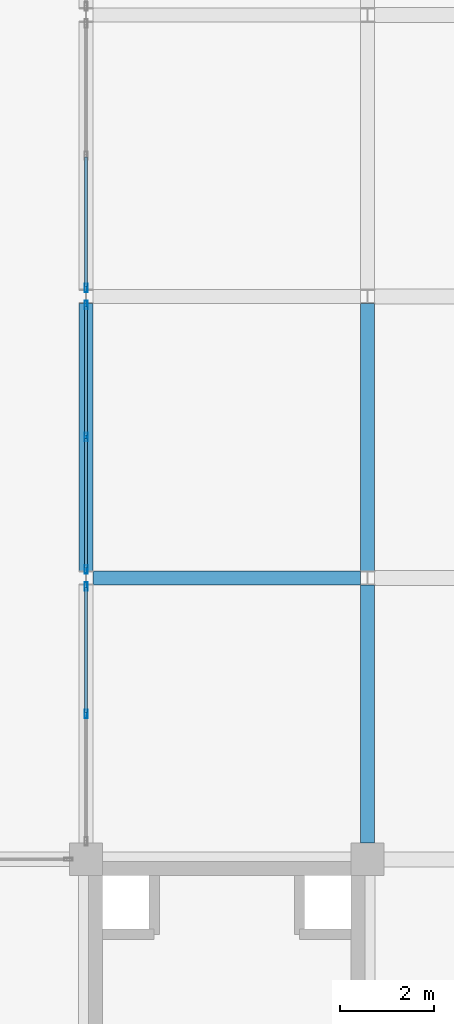
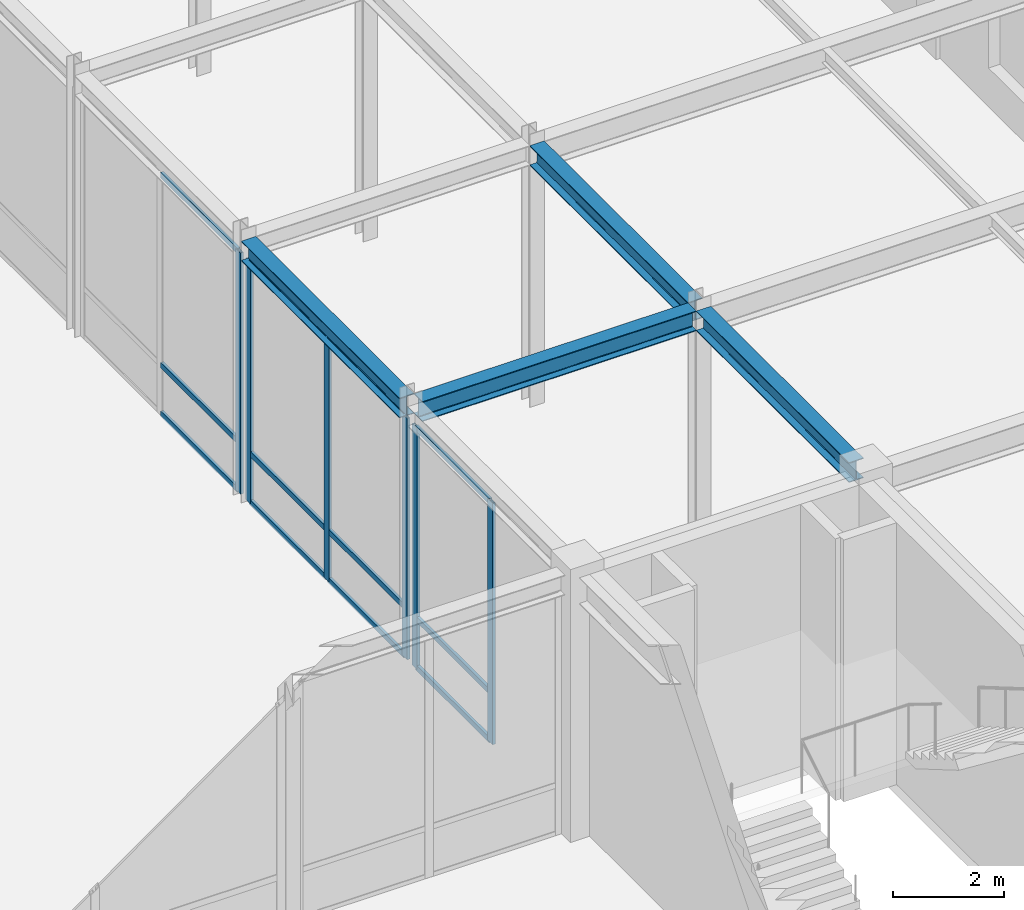
# One storey, part 85 of 108: 18 members, 4 beams, 3 elements without a shape of their own.
"""IFC4 building model written with IfcOpenShell, lengths in metres."""

from ifc_helpers import new_model, si_unit, direction, frame, origin, origin_2d, place, context, subcontext, project, spatial, hollow_rectangle, i_section, extrude, material, layer, layer_set, material_profile, profile_set, type_object, element, aggregate, save


model = new_model("IFC4")

# Units and contexts
model_context = context("Model", 3, precision=1e-05, world=origin(), true_north=direction((0.0, 1.0)))
body_context = subcontext(model_context, "Body", "Model", "MODEL_VIEW")
ifc_project = project(units=[si_unit("LENGTHUNIT", "METRE"), si_unit("AREAUNIT", "SQUARE_METRE"), si_unit("VOLUMEUNIT", "CUBIC_METRE"), si_unit("PLANEANGLEUNIT", "RADIAN"), si_unit("MASSUNIT", "GRAM", prefix="KILO")], contexts=[model_context])

# Site, building, storey
site_placement = place(None, origin())
site = spatial("IfcSite", under=ifc_project, at=site_placement, CompositionType="ELEMENT")
building_placement = place(site_placement, origin())
building = spatial("IfcBuilding", under=site, at=building_placement, Name="Zlatovratsky Civic Hall", CompositionType="ELEMENT")
storey_placement = place(building_placement, frame((0.0, 0.0, 6.0)))
storey = spatial("IfcBuildingStorey", under=building, at=storey_placement, Name="L02", CompositionType="ELEMENT", Elevation=6.0)

# Beams
ifc_material_1 = material(Name="Steel S355", Category="steel")
ifc_material_profile_1 = material_profile(ifc_material_1, i_section(OverallWidth=0.300048828125, OverallDepth=0.43994140625, WebThickness=0.010986328125, FlangeThickness=0.01806640625, FilletRadius=0.02197265625, at=origin_2d()), Name="45Sh1")
ifc_profile_set_1 = profile_set([ifc_material_profile_1], Name="Steel S355")
beam_type = type_object("IfcBeamType", Name="Beam_TowerLow_45Sh1", PredefinedType="BEAM", material=ifc_profile_set_1)
for number, where, z_axis, x_axis, name in (
    (1, (150.14990234375, 36.0, 5.5400390625), (1.0, 0.0, 0.0), (0.0, 1.0, 0.0), "BM-1815"),
    (2, (150.0, 36.14990234375, 5.5400390625), (0.0, 1.0, 0.0), (-1.0, 0.0, 0.0), "BM-2342"),
):
    element("IfcBeam", number, at=place(storey_placement, frame(where, z_axis=z_axis, x_axis=x_axis)), inside=storey, type_object=beam_type, Name=name, PredefinedType="BEAM", context=body_context, shape_type="SweptSolid", body=[
        extrude(i_section(OverallWidth=0.300048828125, OverallDepth=0.43994140625, WebThickness=0.010986328125, FlangeThickness=0.01806640625, FilletRadius=0.02197265625, at=origin_2d()), origin(), (0.0, 0.0, 1.0), 5.7001953125),
    ])
beam_1_placement = place(storey_placement, frame((156.0, 30.35009765625, 5.5400390625), z_axis=(0.0, 1.0, 0.0), x_axis=(-1.0, 0.0, 0.0)))
element("IfcBeam", 3, at=beam_1_placement, inside=storey, type_object=beam_type, Name="BM-2358", PredefinedType="BEAM", context=body_context, shape_type="SweptSolid", body=[
    extrude(i_section(OverallWidth=0.300048828125, OverallDepth=0.43994140625, WebThickness=0.010986328125, FlangeThickness=0.01806640625, FilletRadius=0.02197265625, at=origin_2d()), origin(), (0.0, 0.0, 1.0), 5.5),
])
beam_2_placement = place(storey_placement, frame((156.0, 36.14990234375, 5.5400390625), z_axis=(0.0, 1.0, 0.0), x_axis=(-1.0, 0.0, 0.0)))
element("IfcBeam", 4, at=beam_2_placement, inside=storey, type_object=beam_type, Name="BM-2359", PredefinedType="BEAM", context=body_context, shape_type="SweptSolid", body=[
    extrude(i_section(OverallWidth=0.300048828125, OverallDepth=0.43994140625, WebThickness=0.010986328125, FlangeThickness=0.01806640625, FilletRadius=0.02197265625, at=origin_2d()), origin(), (0.0, 0.0, 1.0), 5.7001953125),
])

# Curtain wall, members
ifc_material_2 = material(Name="Anodised bronze aluminium", Category="aluminium")
ifc_layer_1 = layer(ifc_material_2, 0.159912109375)
ifc_layer_set_1 = layer_set([ifc_layer_1], Name="Anodised bronze aluminium")
curtain_wall_type_1 = type_object("IfcCurtainWallType", Name="CurtainWall_Bronze_5500x5310_04", PredefinedType="NOTDEFINED", material=ifc_layer_set_1)
curtain_wall_1_placement = place(storey_placement, origin())
curtain_wall_1 = element("IfcCurtainWall", 5, at=curtain_wall_1_placement, inside=storey, type_object=curtain_wall_type_1, Name="CW-039", PredefinedType="NOTDEFINED")
ifc_material_profile_2 = material_profile(ifc_material_2, hollow_rectangle(XDim=0.06005859375, YDim=0.179931640625, WallThickness=0.00390625, at=origin_2d()), Name="ALU 60x180x4")
ifc_profile_set_2 = profile_set([ifc_material_profile_2], Name="Anodised bronze aluminium")
member_type_1 = type_object("IfcMemberType", Name="CW_Mullion_60x180", PredefinedType="MULLION", material=ifc_profile_set_2)
member_1_placement = place(storey_placement, frame((150.0, 33.10009765625, 0.0), z_axis=(0.0, 0.0, 1.0), x_axis=(-1.0, 0.0, 0.0)))
member_1 = element("IfcMember", 6, at=member_1_placement, type_object=member_type_1, Name="CW-04 mullion 2", PredefinedType="MULLION", context=body_context, shape_type="SweptSolid", body=[
    extrude(hollow_rectangle(XDim=0.06005859375, YDim=0.179931640625, WallThickness=0.00390625, at=origin_2d()), origin(), (0.0, 0.0, 1.0), 5.31005859375),
])
member_2_placement = place(storey_placement, frame((150.0, 35.820068359375, 0.0), z_axis=(0.0, 0.0, 1.0), x_axis=(-1.0, 0.0, 0.0)))
member_2 = element("IfcMember", 7, at=member_2_placement, type_object=member_type_1, Name="CW-04 mullion 3", PredefinedType="MULLION", context=body_context, shape_type="SweptSolid", body=[
    extrude(hollow_rectangle(XDim=0.06005859375, YDim=0.179931640625, WallThickness=0.00390625, at=origin_2d()), origin(), (0.0, 0.0, 1.0), 5.31005859375),
])

ifc_layer_2 = layer(ifc_material_2, 0.159912109375)
ifc_layer_set_2 = layer_set([ifc_layer_2], Name="Anodised bronze aluminium")
curtain_wall_type_2 = type_object("IfcCurtainWallType", Name="CurtainWall_Bronze_5700x5310_06", PredefinedType="NOTDEFINED", material=ifc_layer_set_2)
curtain_wall_2_placement = place(storey_placement, origin())
curtain_wall_2 = element("IfcCurtainWall", 8, at=curtain_wall_2_placement, inside=storey, type_object=curtain_wall_type_2, Name="CW-040", PredefinedType="NOTDEFINED")
member_3_placement = place(storey_placement, frame((150.0, 36.179931640625, 0.0), z_axis=(0.0, 0.0, 1.0), x_axis=(-1.0, 0.0, 0.0)))
member_3 = element("IfcMember", 9, at=member_3_placement, type_object=member_type_1, Name="CW-06 mullion 1", PredefinedType="MULLION", context=body_context, shape_type="SweptSolid", body=[
    extrude(hollow_rectangle(XDim=0.06005859375, YDim=0.179931640625, WallThickness=0.00390625, at=origin_2d()), origin(), (0.0, 0.0, 1.0), 5.31005859375),
])
member_4_placement = place(storey_placement, frame((150.0, 39.0, 0.0), z_axis=(0.0, 0.0, 1.0), x_axis=(-1.0, 0.0, 0.0)))
member_4 = element("IfcMember", 10, at=member_4_placement, type_object=member_type_1, Name="CW-06 mullion 2", PredefinedType="MULLION", context=body_context, shape_type="SweptSolid", body=[
    extrude(hollow_rectangle(XDim=0.06005859375, YDim=0.179931640625, WallThickness=0.00390625, at=origin_2d()), origin(), (0.0, 0.0, 1.0), 5.31005859375),
])
member_5_placement = place(storey_placement, frame((150.0, 41.820068359375, 0.0), z_axis=(0.0, 0.0, 1.0), x_axis=(-1.0, 0.0, 0.0)))
member_5 = element("IfcMember", 11, at=member_5_placement, type_object=member_type_1, Name="CW-06 mullion 3", PredefinedType="MULLION", context=body_context, shape_type="SweptSolid", body=[
    extrude(hollow_rectangle(XDim=0.06005859375, YDim=0.179931640625, WallThickness=0.00390625, at=origin_2d()), origin(), (0.0, 0.0, 1.0), 5.31005859375),
])

# Curtain wall, member
curtain_wall_3_placement = place(storey_placement, origin())
curtain_wall_3 = element("IfcCurtainWall", 12, at=curtain_wall_3_placement, inside=storey, type_object=curtain_wall_type_2, Name="CW-041", PredefinedType="NOTDEFINED")
member_6_placement = place(storey_placement, frame((150.0, 42.179931640625, 0.0), z_axis=(0.0, 0.0, 1.0), x_axis=(-1.0, 0.0, 0.0)))
member_6 = element("IfcMember", 13, at=member_6_placement, type_object=member_type_1, Name="CW-06 mullion 1", PredefinedType="MULLION", context=body_context, shape_type="SweptSolid", body=[
    extrude(hollow_rectangle(XDim=0.06005859375, YDim=0.179931640625, WallThickness=0.00390625, at=origin_2d()), origin(), (0.0, 0.0, 1.0), 5.31005859375),
])

# Member
ifc_material_profile_3 = material_profile(ifc_material_2, hollow_rectangle(XDim=0.06005859375, YDim=0.1201171875, WallThickness=0.00390625, at=origin_2d()), Name="ALU 60x120x4")
ifc_profile_set_3 = profile_set([ifc_material_profile_3], Name="Anodised bronze aluminium")
member_type_2 = type_object("IfcMemberType", Name="CW_Transom_60x120", PredefinedType="USERDEFINED", material=ifc_profile_set_3)
member_7_placement = place(storey_placement, frame((150.0, 33.1298828125, 0.030029296875), z_axis=(0.0, 1.0, 0.0), x_axis=(-1.0, 0.0, 0.0)))
member_7 = element("IfcMember", 14, at=member_7_placement, type_object=member_type_2, Name="CW-04 transom 2.1", ObjectType="TRANSOM", PredefinedType="USERDEFINED", context=body_context, shape_type="SweptSolid", body=[
    extrude(hollow_rectangle(XDim=0.06005859375, YDim=0.1201171875, WallThickness=0.00390625, at=origin_2d()), origin(), (0.0, 0.0, 1.0), 2.66015625),
])

member_8_placement = place(storey_placement, frame((150.0, 33.1298828125, 1.10009765625), z_axis=(0.0, 1.0, 0.0), x_axis=(-1.0, 0.0, 0.0)))
member_8 = element("IfcMember", 15, at=member_8_placement, type_object=member_type_2, Name="CW-04 transom 2.2", ObjectType="TRANSOM", PredefinedType="USERDEFINED", context=body_context, shape_type="SweptSolid", body=[
    extrude(hollow_rectangle(XDim=0.06005859375, YDim=0.1201171875, WallThickness=0.00390625, at=origin_2d()), origin(), (0.0, 0.0, 1.0), 2.66015625),
])

member_9_placement = place(storey_placement, frame((150.0, 33.1298828125, 5.280029296875), z_axis=(0.0, 1.0, 0.0), x_axis=(-1.0, 0.0, 0.0)))
member_9 = element("IfcMember", 16, at=member_9_placement, type_object=member_type_2, Name="CW-04 transom 2.3", ObjectType="TRANSOM", PredefinedType="USERDEFINED", context=body_context, shape_type="SweptSolid", body=[
    extrude(hollow_rectangle(XDim=0.06005859375, YDim=0.1201171875, WallThickness=0.00390625, at=origin_2d()), origin(), (0.0, 0.0, 1.0), 2.66015625),
])

aggregate(curtain_wall_1, [member_1, member_2, member_7, member_8, member_9])

member_10_placement = place(storey_placement, frame((150.0, 36.2099609375, 0.030029296875), z_axis=(0.0, 1.0, 0.0), x_axis=(-1.0, 0.0, 0.0)))
member_10 = element("IfcMember", 17, at=member_10_placement, type_object=member_type_2, Name="CW-06 transom 1.1", ObjectType="TRANSOM", PredefinedType="USERDEFINED", context=body_context, shape_type="SweptSolid", body=[
    extrude(hollow_rectangle(XDim=0.06005859375, YDim=0.1201171875, WallThickness=0.00390625, at=origin_2d()), origin(), (0.0, 0.0, 1.0), 2.760009765625),
])

member_11_placement = place(storey_placement, frame((150.0, 36.2099609375, 1.10009765625), z_axis=(0.0, 1.0, 0.0), x_axis=(-1.0, 0.0, 0.0)))
member_11 = element("IfcMember", 18, at=member_11_placement, type_object=member_type_2, Name="CW-06 transom 1.2", ObjectType="TRANSOM", PredefinedType="USERDEFINED", context=body_context, shape_type="SweptSolid", body=[
    extrude(hollow_rectangle(XDim=0.06005859375, YDim=0.1201171875, WallThickness=0.00390625, at=origin_2d()), origin(), (0.0, 0.0, 1.0), 2.760009765625),
])

member_12_placement = place(storey_placement, frame((150.0, 36.2099609375, 5.280029296875), z_axis=(0.0, 1.0, 0.0), x_axis=(-1.0, 0.0, 0.0)))
member_12 = element("IfcMember", 19, at=member_12_placement, type_object=member_type_2, Name="CW-06 transom 1.3", ObjectType="TRANSOM", PredefinedType="USERDEFINED", context=body_context, shape_type="SweptSolid", body=[
    extrude(hollow_rectangle(XDim=0.06005859375, YDim=0.1201171875, WallThickness=0.00390625, at=origin_2d()), origin(), (0.0, 0.0, 1.0), 2.760009765625),
])

member_13_placement = place(storey_placement, frame((150.0, 39.030029296875, 0.030029296875), z_axis=(0.0, 1.0, 0.0), x_axis=(-1.0, 0.0, 0.0)))
member_13 = element("IfcMember", 20, at=member_13_placement, type_object=member_type_2, Name="CW-06 transom 2.1", ObjectType="TRANSOM", PredefinedType="USERDEFINED", context=body_context, shape_type="SweptSolid", body=[
    extrude(hollow_rectangle(XDim=0.06005859375, YDim=0.1201171875, WallThickness=0.00390625, at=origin_2d()), origin(), (0.0, 0.0, 1.0), 2.760009765625),
])

member_14_placement = place(storey_placement, frame((150.0, 39.030029296875, 1.10009765625), z_axis=(0.0, 1.0, 0.0), x_axis=(-1.0, 0.0, 0.0)))
member_14 = element("IfcMember", 21, at=member_14_placement, type_object=member_type_2, Name="CW-06 transom 2.2", ObjectType="TRANSOM", PredefinedType="USERDEFINED", context=body_context, shape_type="SweptSolid", body=[
    extrude(hollow_rectangle(XDim=0.06005859375, YDim=0.1201171875, WallThickness=0.00390625, at=origin_2d()), origin(), (0.0, 0.0, 1.0), 2.760009765625),
])

member_15_placement = place(storey_placement, frame((150.0, 39.030029296875, 5.280029296875), z_axis=(0.0, 1.0, 0.0), x_axis=(-1.0, 0.0, 0.0)))
member_15 = element("IfcMember", 22, at=member_15_placement, type_object=member_type_2, Name="CW-06 transom 2.3", ObjectType="TRANSOM", PredefinedType="USERDEFINED", context=body_context, shape_type="SweptSolid", body=[
    extrude(hollow_rectangle(XDim=0.06005859375, YDim=0.1201171875, WallThickness=0.00390625, at=origin_2d()), origin(), (0.0, 0.0, 1.0), 2.760009765625),
])

aggregate(curtain_wall_2, [member_3, member_4, member_5, member_10, member_11, member_12, member_13, member_14, member_15])

member_16_placement = place(storey_placement, frame((150.0, 42.2099609375, 0.030029296875), z_axis=(0.0, 1.0, 0.0), x_axis=(-1.0, 0.0, 0.0)))
member_16 = element("IfcMember", 23, at=member_16_placement, type_object=member_type_2, Name="CW-06 transom 1.1", ObjectType="TRANSOM", PredefinedType="USERDEFINED", context=body_context, shape_type="SweptSolid", body=[
    extrude(hollow_rectangle(XDim=0.06005859375, YDim=0.1201171875, WallThickness=0.00390625, at=origin_2d()), origin(), (0.0, 0.0, 1.0), 2.760009765625),
])

member_17_placement = place(storey_placement, frame((150.0, 42.2099609375, 1.10009765625), z_axis=(0.0, 1.0, 0.0), x_axis=(-1.0, 0.0, 0.0)))
member_17 = element("IfcMember", 24, at=member_17_placement, type_object=member_type_2, Name="CW-06 transom 1.2", ObjectType="TRANSOM", PredefinedType="USERDEFINED", context=body_context, shape_type="SweptSolid", body=[
    extrude(hollow_rectangle(XDim=0.06005859375, YDim=0.1201171875, WallThickness=0.00390625, at=origin_2d()), origin(), (0.0, 0.0, 1.0), 2.760009765625),
])

member_18_placement = place(storey_placement, frame((150.0, 42.2099609375, 5.280029296875), z_axis=(0.0, 1.0, 0.0), x_axis=(-1.0, 0.0, 0.0)))
member_18 = element("IfcMember", 25, at=member_18_placement, type_object=member_type_2, Name="CW-06 transom 1.3", ObjectType="TRANSOM", PredefinedType="USERDEFINED", context=body_context, shape_type="SweptSolid", body=[
    extrude(hollow_rectangle(XDim=0.06005859375, YDim=0.1201171875, WallThickness=0.00390625, at=origin_2d()), origin(), (0.0, 0.0, 1.0), 2.760009765625),
])

aggregate(curtain_wall_3, [member_6, member_16, member_17, member_18])

save(model, "model.ifc")
